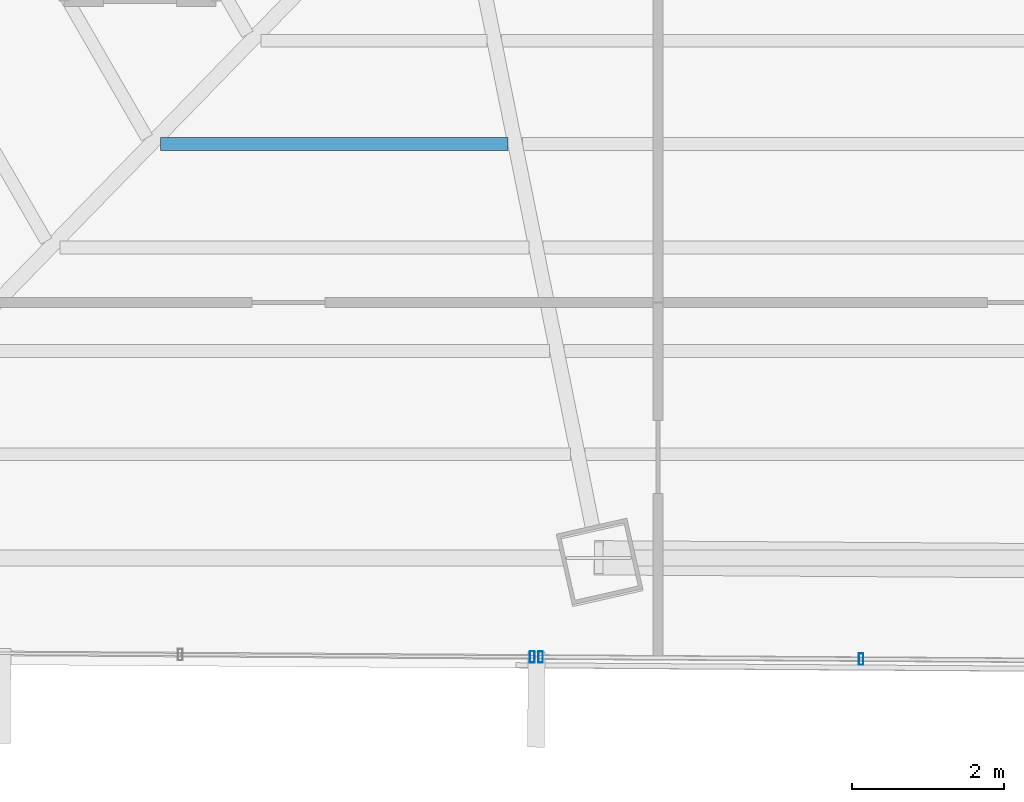
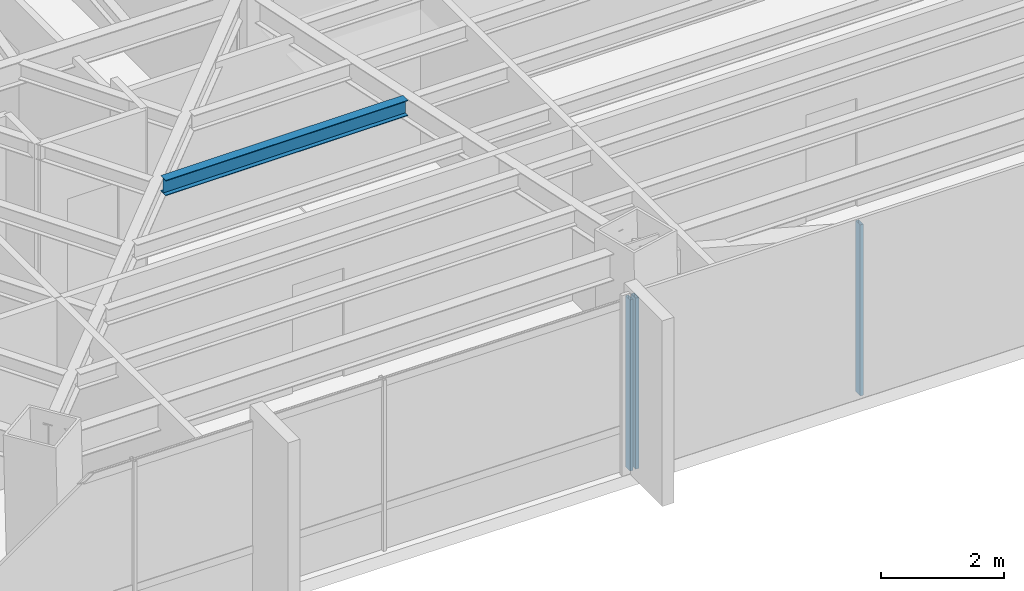
# One storey, part 8 of 41: 3 members, 1 beam, 2 elements without a shape of their own.
"""IFC4 building model written with IfcOpenShell, lengths in metres."""

from ifc_helpers import new_model, si_unit, direction, frame, origin, origin_2d, place, context, subcontext, project, spatial, hollow_rectangle, i_section, extrude, source, transform, mapped, material, material_profile, profile_set, type_object, type_shapes, element, aggregate, save


model = new_model("IFC4")

# Units and contexts
model_context = context("Model", 3, precision=1e-05, world=origin(), true_north=direction((0.0, 1.0)))
body_context = subcontext(model_context, "Body", "Model", "MODEL_VIEW")
ifc_project = project(units=[si_unit("LENGTHUNIT", "METRE"), si_unit("AREAUNIT", "SQUARE_METRE"), si_unit("VOLUMEUNIT", "CUBIC_METRE"), si_unit("PLANEANGLEUNIT", "RADIAN"), si_unit("MASSUNIT", "GRAM", prefix="KILO")], contexts=[model_context])

# Site, building, storey
site_placement = place(None, origin())
site = spatial("IfcSite", under=ifc_project, at=site_placement, CompositionType="ELEMENT")
building_placement = place(site_placement, origin())
building = spatial("IfcBuilding", under=site, at=building_placement, Name="Caelisora Broadcast Tower", CompositionType="ELEMENT")
storey_placement = place(building_placement, frame((0.0, 0.0, 180.39990234375)))
storey = spatial("IfcBuildingStorey", under=building, at=storey_placement, Name="L47", CompositionType="ELEMENT", Elevation=180.39990234375)

# Beam
ifc_material_1 = material(Name="Steel Grade 350 (AS/NZS 3679.1)", Category="steel")
ifc_material_profile_1 = material_profile(ifc_material_1, i_section(OverallWidth=0.166015625, OverallDepth=0.30712890625, WebThickness=0.006591796875, FlangeThickness=0.01171875, at=origin_2d()), Name="Steel Grade 350 (AS/NZS 3679.1)")
ifc_profile_set_1 = profile_set([ifc_material_profile_1], Name="Steel Grade 350 (AS/NZS 3679.1)")
beam_type = type_object("IfcBeamType", Name="SB03", PredefinedType="JOIST", material=ifc_profile_set_1)
shared_shape_1 = source(origin(), body_context, "Body", "SweptSolid", [
    extrude(i_section(OverallWidth=0.166015625, OverallDepth=0.30712890625, WebThickness=0.006591796875, FlangeThickness=0.01171875, at=origin_2d()), origin(), (0.0, 0.0, 1.0), 4.55810546875),
])
type_shapes(beam_type, [shared_shape_1])
beam_placement = place(storey_placement, frame((26.67041015625, 13.328125, 3.24658203125), z_axis=(1.0, 0.0, 0.0), x_axis=(0.0, 1.0, 0.0)))
element("IfcBeam", 1, at=beam_placement, inside=storey, type_object=beam_type, Name="L47 beam SB03", PredefinedType="JOIST", context=body_context, shape_type="MappedRepresentation", body=[
    mapped(shared_shape_1, transform((0.0, 0.0, 0.0), scale=1.0)),
])

# Curtain wall, members
ifc_material_2 = material(Name="Unitised Aluminium Insulated Shadow-Box Spandrel Curtain Wall", Category="aluminium")
curtain_wall_type_1 = type_object("IfcCurtainWallType", Name="CW-SP2", PredefinedType="NOTDEFINED", material=ifc_material_2)
curtain_wall_1_placement = place(storey_placement, origin())
curtain_wall_1 = element("IfcCurtainWall", 2, at=curtain_wall_1_placement, inside=storey, type_object=curtain_wall_type_1, Name="L47 curtain wall CW-SP2", PredefinedType="NOTDEFINED")
ifc_material_3 = material(Name="Aluminium 6063-T6 Anodised Terracotta Bronze", Category="aluminium")
ifc_material_profile_2 = material_profile(ifc_material_3, hollow_rectangle(XDim=0.06005859375, YDim=0.14990234375, WallThickness=0.00341796875, at=origin_2d()), Name="Aluminium 6063-T6 Anodised Terracotta Bronze")
ifc_profile_set_2 = profile_set([ifc_material_profile_2], Name="Aluminium 6063-T6 Anodised Terracotta Bronze")
member_type = type_object("IfcMemberType", Name="CWM-03", PredefinedType="MULLION", material=ifc_profile_set_2)
shared_shape_2 = source(origin(), body_context, "Body", "SweptSolid", [
    extrude(hollow_rectangle(XDim=0.06005859375, YDim=0.14990234375, WallThickness=0.00341796875, at=origin_2d()), origin(), (0.0, 0.0, 1.0), 3.400146484375),
])
type_shapes(member_type, [shared_shape_2])
member_1_placement = place(storey_placement, frame((35.86376953125, 6.569580078125, 0.0), z_axis=(0.0, 0.0, 1.0), x_axis=(1.0, 0.0, 0.0)))
member_1 = element("IfcMember", 3, at=member_1_placement, type_object=member_type, Name="L47-CW-B06 mullion #2", PredefinedType="MULLION", context=body_context, shape_type="MappedRepresentation", body=[
    mapped(shared_shape_2, transform((0.0, 0.0, 0.0), scale=1.0)),
])
member_2_placement = place(storey_placement, frame((31.658447265625, 6.597412109375, 0.0), z_axis=(0.0, 0.0, 1.0), x_axis=(1.0, 0.0, 0.0)))
member_2 = element("IfcMember", 4, at=member_2_placement, type_object=member_type, Name="L47-CW-B06 mullion #3", PredefinedType="MULLION", context=body_context, shape_type="MappedRepresentation", body=[
    mapped(shared_shape_2, transform((0.0, 0.0, 0.0), scale=1.0)),
])
aggregate(curtain_wall_1, [member_1, member_2])

# Curtain wall, member
ifc_material_4 = material(Name="Unitised Aluminium and Low-E Glass Curtain Wall", Category="glass")
curtain_wall_type_2 = type_object("IfcCurtainWallType", Name="CW-Z3", PredefinedType="NOTDEFINED", material=ifc_material_4)
curtain_wall_2_placement = place(storey_placement, origin())
curtain_wall_2 = element("IfcCurtainWall", 5, at=curtain_wall_2_placement, inside=storey, type_object=curtain_wall_type_2, Name="L47 curtain wall CW-Z3", PredefinedType="NOTDEFINED")
member_3_placement = place(storey_placement, frame((31.54833984375, 6.598388671875, 0.0), z_axis=(0.0, 0.0, 1.0), x_axis=(1.0, 0.0, 0.0)))
member_3 = element("IfcMember", 6, at=member_3_placement, type_object=member_type, Name="L47-CW-B07 mullion #0", PredefinedType="MULLION", context=body_context, shape_type="MappedRepresentation", body=[
    mapped(shared_shape_2, transform((0.0, 0.0, 0.0), scale=1.0)),
])
aggregate(curtain_wall_2, [member_3])

save(model, "model.ifc")
